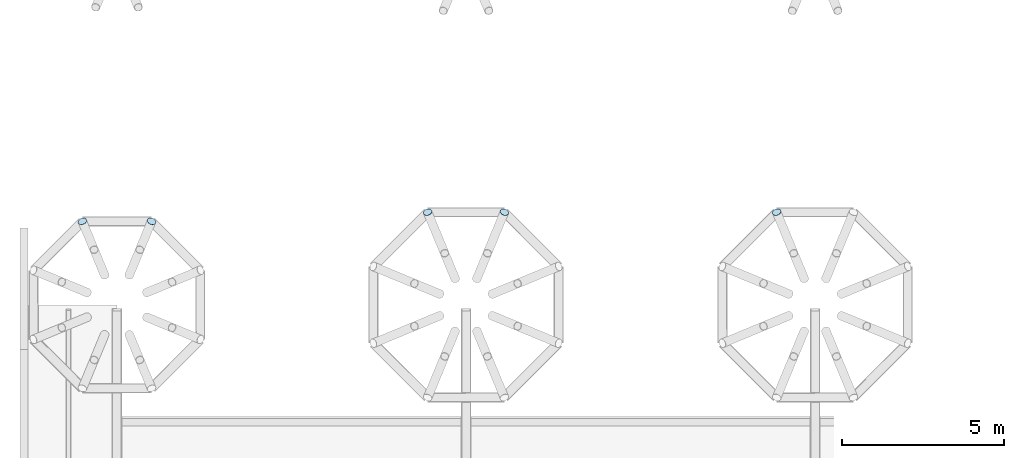
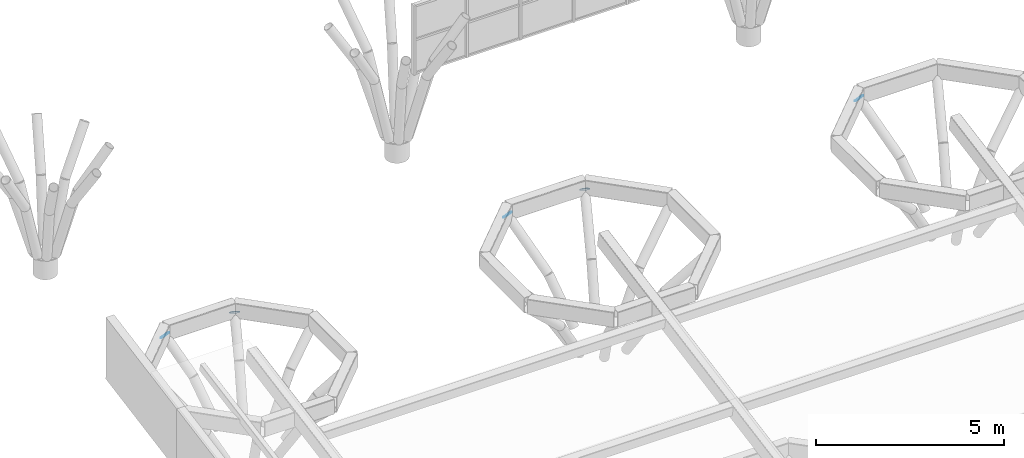
# One storey, part 25 of 42: 5 plates.
"""IFC4 building model written with IfcOpenShell, lengths in metres."""

from ifc_helpers import new_model, si_unit, direction, frame, origin, origin_2d, place, context, subcontext, project, spatial, circle, extrude, material, material_profile, profile_set, type_object, element, save


model = new_model("IFC4")

# Units and contexts
model_context = context("Model", 3, precision=1e-05, world=origin(), true_north=direction((0.0, 1.0)))
body_context = subcontext(model_context, "Body", "Model", "MODEL_VIEW")
ifc_project = project(units=[si_unit("LENGTHUNIT", "METRE"), si_unit("AREAUNIT", "SQUARE_METRE"), si_unit("VOLUMEUNIT", "CUBIC_METRE"), si_unit("PLANEANGLEUNIT", "RADIAN"), si_unit("MASSUNIT", "GRAM", prefix="KILO")], contexts=[model_context])

# Site, building, storey
site_placement = place(None, origin())
site = spatial("IfcSite", under=ifc_project, at=site_placement, CompositionType="ELEMENT")
building_placement = place(site_placement, origin())
building = spatial("IfcBuilding", under=site, at=building_placement, Name="Magnolia Steps Interchange", CompositionType="ELEMENT")
storey_placement = place(building_placement, frame((0.0, 0.0, 12.60009765625)))
storey = spatial("IfcBuildingStorey", under=building, at=storey_placement, Name="L03", CompositionType="ELEMENT", Elevation=12.60009765625)

# Plates
ifc_material = material(Name="Steel Q355B", Category="steel")
ifc_material_profile = material_profile(ifc_material, circle(Radius=0.136474609375, at=origin_2d()), Name="End plate CHS273x14")
ifc_profile_set = profile_set([ifc_material_profile], Name="Steel Q355B")
plate_type = type_object("IfcPlateType", Name="End plate CHS273x14", PredefinedType="SHEET", material=ifc_profile_set)
for number, where, z_axis, x_axis, name in (
    (1, (54.268798828125, 77.3798828125, 3.325439453125), (0.275279424158, 0.664583318381, 0.694658370398), (-0.923879532336, 0.382683432789, 0.0), "End plate Tree rib"),
    (2, (52.13134765625, 77.3798828125, 3.325439453125), (-0.275279424158, 0.664583318381, 0.694658370398), (-0.923879532336, -0.382683432789, 0.0), "End plate Tree rib"),
    (3, (65.186279296875, 77.6640625, 3.325439453125), (0.275279424158, 0.664583318381, 0.694658370398), (-0.923879532336, 0.382683432789, 0.0), "End plate Tree rib"),
    (4, (62.813720703125, 77.6640625, 3.325439453125), (-0.275279424158, 0.664583318381, 0.694658370398), (-0.923879532336, -0.382683432789, 0.0), "End plate Tree rib"),
    (5, (73.61376953125, 77.6640625, 3.325439453125), (-0.275279424158, 0.664583318381, 0.694658370398), (-0.923879532336, -0.382683432789, 0.0), "End plate Tree rib"),
):
    element("IfcPlate", number, at=place(storey_placement, frame(where, z_axis=z_axis, x_axis=x_axis)), inside=storey, type_object=plate_type, Name=name, PredefinedType="SHEET", context=body_context, shape_type="SweptSolid", body=[
        extrude(circle(Radius=0.136474609375, at=origin_2d()), origin(), (0.0, 0.0, 1.0), 0.008056640625),
    ])

save(model, "model.ifc")
